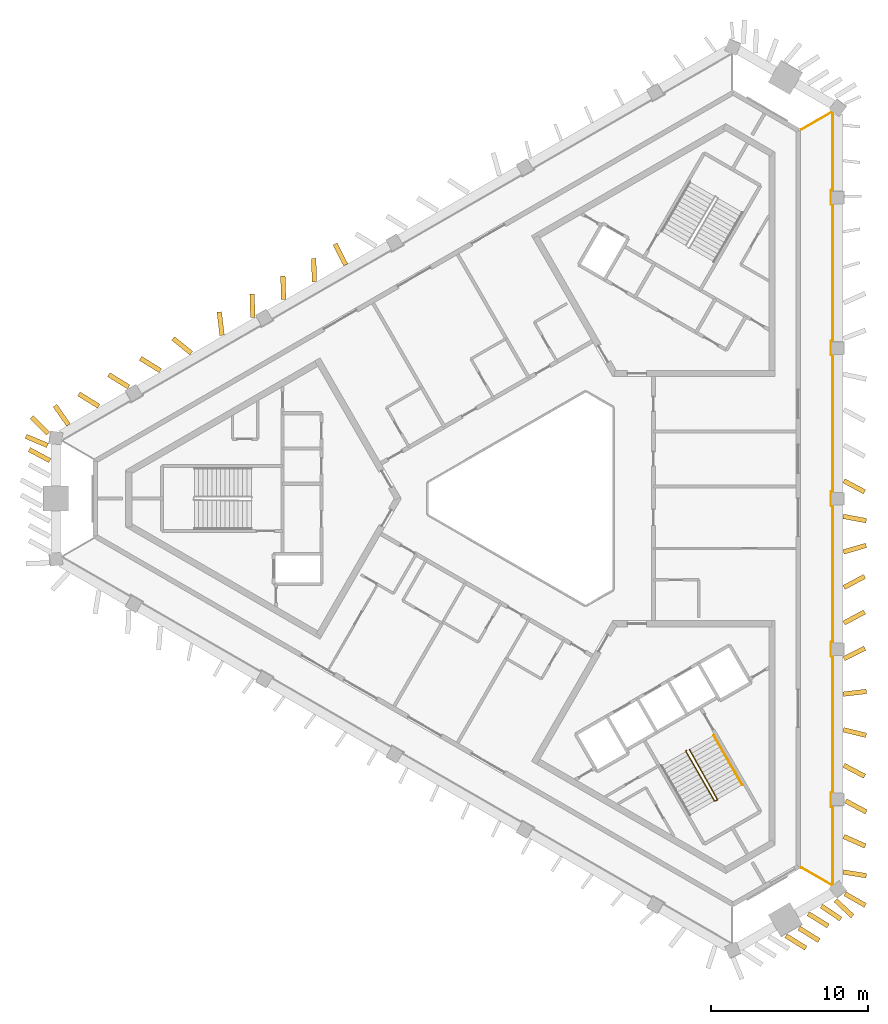
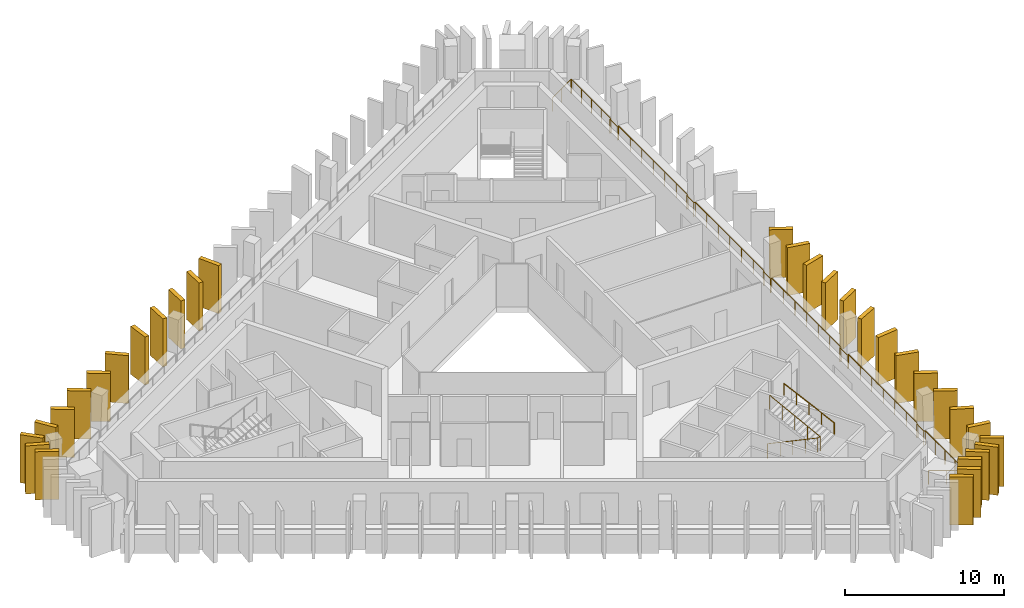
# One storey, part 8 of 10: 31 shading devices, 3 railings.
"""IFC4 building model written with IfcOpenShell, lengths in metres."""

from ifc_helpers import new_model, si_unit, direction, frame, frame_2d, origin, origin_2d, place, context, subcontext, project, spatial, rectangle, circle, extrude, material, layer, layer_set, type_object, element, save


model = new_model("IFC4")

# Units and contexts
model_context = context("Model", 3, precision=1e-05, world=origin(), true_north=direction((0.0, 1.0)))
body_context = subcontext(model_context, "Body", "Model", "MODEL_VIEW")
ifc_project = project(units=[si_unit("LENGTHUNIT", "METRE"), si_unit("AREAUNIT", "SQUARE_METRE"), si_unit("VOLUMEUNIT", "CUBIC_METRE"), si_unit("PLANEANGLEUNIT", "RADIAN"), si_unit("MASSUNIT", "GRAM", prefix="KILO")], contexts=[model_context])

# Site, building, storey
site_placement = place(None, origin())
site = spatial("IfcSite", under=ifc_project, at=site_placement, CompositionType="ELEMENT")
building_placement = place(site_placement, origin())
building = spatial("IfcBuilding", under=site, at=building_placement, Name="Jabali Bay Hotel Tower and Convention Centre", CompositionType="ELEMENT")
storey_placement = place(building_placement, frame((0.0, 0.0, 284.89990234375)))
storey = spatial("IfcBuildingStorey", under=building, at=storey_placement, Name="L70", CompositionType="ELEMENT", Elevation=284.89990234375)

# Railing
ifc_material_1 = material(Name="Glass", Category="glass")
railing_type_1 = type_object("IfcRailingType", Name="Loggia glass guard 1100", PredefinedType="BALUSTRADE", material=ifc_material_1)
railing_1_placement = place(storey_placement, frame((91.553955078125, 103.57275390625, 0.0)))
element("IfcRailing", 1, at=railing_1_placement, inside=storey, type_object=railing_type_1, Name="Loggia glass guard L70", PredefinedType="BALUSTRADE", context=body_context, shape_type="SweptSolid", body=[
    extrude(circle(Radius=0.02490234375, at=origin_2d()), frame((0.0, 0.0, 1.0751953125), z_axis=(0.865989003036, 0.500063042646, 0.0), x_axis=(-0.495784933994, 0.858580347067, 0.13052619222)), (0.0, 0.0, 1.0), 2.275146484375),
    extrude(circle(Radius=0.02490234375, at=origin_2d()), frame((1.97021484375, 1.1376953125, 1.0751953125), z_axis=(0.79528205549, -0.606239599677, 0.0), x_axis=(0.601053135861, 0.788478307258, 0.13052619222)), (0.0, 0.0, 1.0), 0.037353515625),
    extrude(circle(Radius=0.02490234375, at=origin_2d()), frame((2.0, 1.114990234375, 1.0751953125), z_axis=(0.0, -1.0, 0.0), x_axis=(0.991444861374, 0.0, 0.13052619222)), (0.0, 0.0, 1.0), 4.994384765625),
    extrude(circle(Radius=0.02490234375, at=origin_2d()), frame((2.0, -3.87939453125, 1.0751953125), z_axis=(-1.0, 0.0, 0.0), x_axis=(0.0, -0.991444861374, 0.13052619222)), (0.0, 0.0, 1.0), 0.10009765625),
    extrude(circle(Radius=0.02490234375, at=origin_2d()), frame((1.89990234375, -3.87939453125, 1.0751953125), z_axis=(0.0, -1.0, 0.0), x_axis=(0.991444861374, 0.0, 0.13052619222)), (0.0, 0.0, 1.0), 0.900146484375),
    extrude(circle(Radius=0.02490234375, at=origin_2d()), frame((1.89990234375, -4.779541015625, 1.0751953125), z_axis=(1.0, 0.0, 0.0), x_axis=(0.0, 0.991444861374, 0.13052619222)), (0.0, 0.0, 1.0), 0.10009765625),
    extrude(circle(Radius=0.02490234375, at=origin_2d()), frame((2.0, -4.779541015625, 1.0751953125), z_axis=(0.0, -1.0, 0.0), x_axis=(0.991444861374, 0.0, 0.13052619222)), (0.0, 0.0, 1.0), 8.7216796875),
    extrude(circle(Radius=0.02490234375, at=origin_2d()), frame((2.0, -13.501220703125, 1.0751953125), z_axis=(-1.0, 0.0, 0.0), x_axis=(0.0, -0.991444861374, 0.13052619222)), (0.0, 0.0, 1.0), 0.10009765625),
    extrude(circle(Radius=0.02490234375, at=origin_2d()), frame((1.89990234375, -13.501220703125, 1.0751953125), z_axis=(0.0, -1.0, 0.0), x_axis=(0.991444861374, 0.0, 0.13052619222)), (0.0, 0.0, 1.0), 0.89990234375),
    extrude(circle(Radius=0.02490234375, at=origin_2d()), frame((1.89990234375, -14.401123046875, 1.0751953125), z_axis=(1.0, 0.0, 0.0), x_axis=(0.0, 0.991444861374, 0.13052619222)), (0.0, 0.0, 1.0), 0.10009765625),
    extrude(circle(Radius=0.02490234375, at=origin_2d()), frame((2.0, -14.401123046875, 1.0751953125), z_axis=(0.0, -1.0, 0.0), x_axis=(0.991444861374, 0.0, 0.13052619222)), (0.0, 0.0, 1.0), 8.7216796875),
    extrude(circle(Radius=0.02490234375, at=origin_2d()), frame((2.0, -23.122802734375, 1.0751953125), z_axis=(-1.0, 0.0, 0.0), x_axis=(0.0, -0.991444861374, 0.13052619222)), (0.0, 0.0, 1.0), 0.10009765625),
    extrude(circle(Radius=0.02490234375, at=origin_2d()), frame((1.89990234375, -23.122802734375, 1.0751953125), z_axis=(0.0, -1.0, 0.0), x_axis=(0.991444861374, 0.0, 0.13052619222)), (0.0, 0.0, 1.0), 0.89990234375),
    extrude(circle(Radius=0.02490234375, at=origin_2d()), frame((1.89990234375, -24.022705078125, 1.0751953125), z_axis=(1.0, 0.0, 0.0), x_axis=(0.0, 0.991444861374, 0.13052619222)), (0.0, 0.0, 1.0), 0.10009765625),
    extrude(circle(Radius=0.02490234375, at=origin_2d()), frame((2.0, -24.022705078125, 1.0751953125), z_axis=(0.0, -1.0, 0.0), x_axis=(0.991444861374, 0.0, 0.13052619222)), (0.0, 0.0, 1.0), 8.7216796875),
    extrude(circle(Radius=0.02490234375, at=origin_2d()), frame((2.0, -32.744384765625, 1.0751953125), z_axis=(-1.0, 0.0, 0.0), x_axis=(0.0, -0.991444861374, 0.13052619222)), (0.0, 0.0, 1.0), 0.10009765625),
    extrude(circle(Radius=0.02490234375, at=origin_2d()), frame((1.89990234375, -32.744384765625, 1.0751953125), z_axis=(0.0, -1.0, 0.0), x_axis=(0.991444861374, 0.0, 0.13052619222)), (0.0, 0.0, 1.0), 0.89990234375),
    extrude(circle(Radius=0.02490234375, at=origin_2d()), frame((1.89990234375, -33.644287109375, 1.0751953125), z_axis=(1.0, 0.0, 0.0), x_axis=(0.0, 0.991444861374, 0.13052619222)), (0.0, 0.0, 1.0), 0.10009765625),
    extrude(circle(Radius=0.02490234375, at=origin_2d()), frame((2.0, -33.644287109375, 1.0751953125), z_axis=(0.0, -1.0, 0.0), x_axis=(0.991444861374, 0.0, 0.13052619222)), (0.0, 0.0, 1.0), 8.7216796875),
    extrude(circle(Radius=0.02490234375, at=origin_2d()), frame((2.0, -42.365966796875, 1.0751953125), z_axis=(-1.0, 0.0, 0.0), x_axis=(0.0, -0.991444861374, 0.13052619222)), (0.0, 0.0, 1.0), 0.10009765625),
    extrude(circle(Radius=0.02490234375, at=origin_2d()), frame((1.89990234375, -42.365966796875, 1.0751953125), z_axis=(0.0, -1.0, 0.0), x_axis=(0.991444861374, 0.0, 0.13052619222)), (0.0, 0.0, 1.0), 0.900146484375),
    extrude(circle(Radius=0.02490234375, at=origin_2d()), frame((1.89990234375, -43.26611328125, 1.0751953125), z_axis=(1.0, 0.0, 0.0), x_axis=(0.0, 0.991444861374, 0.13052619222)), (0.0, 0.0, 1.0), 0.10009765625),
    extrude(circle(Radius=0.02490234375, at=origin_2d()), frame((2.0, -43.26611328125, 1.0751953125), z_axis=(0.0, -1.0, 0.0), x_axis=(0.991444861374, 0.0, 0.13052619222)), (0.0, 0.0, 1.0), 4.994384765625),
    extrude(circle(Radius=0.02490234375, at=origin_2d()), frame((2.0, -48.260498046875, 1.0751953125), z_axis=(-0.79528205549, -0.606239599677, 0.0), x_axis=(0.601053135861, -0.788478307258, 0.13052619222)), (0.0, 0.0, 1.0), 0.037353515625),
    extrude(circle(Radius=0.02490234375, at=origin_2d()), frame((1.97021484375, -48.283203125, 1.0751953125), z_axis=(-0.865989003036, 0.500063042646, 0.0), x_axis=(-0.495784933994, -0.858580347067, 0.13052619222)), (0.0, 0.0, 1.0), 2.275146484375),
    extrude(circle(Radius=0.02001953125, at=origin_2d()), origin(), (0.0, 0.0, 1.0), 1.050048828125),
    extrude(circle(Radius=0.02001953125, at=origin_2d()), frame((0.985107421875, 0.56884765625, 0.0)), (0.0, 0.0, 1.0), 1.050048828125),
    extrude(circle(Radius=0.02001953125, at=origin_2d()), frame((1.97021484375, 1.1376953125, 0.0)), (0.0, 0.0, 1.0), 1.050048828125),
    extrude(circle(Radius=0.02001953125, at=origin_2d()), frame((2.0, 1.114990234375, 0.0)), (0.0, 0.0, 1.0), 1.050048828125),
    extrude(circle(Radius=0.02001953125, at=origin_2d()), frame((2.0, -0.133544921875, 0.0)), (0.0, 0.0, 1.0), 1.050048828125),
    extrude(circle(Radius=0.02001953125, at=origin_2d()), frame((2.0, -1.38232421875, 0.0)), (0.0, 0.0, 1.0), 1.050048828125),
    extrude(circle(Radius=0.02001953125, at=origin_2d()), frame((2.0, -2.630859375, 0.0)), (0.0, 0.0, 1.0), 1.050048828125),
    extrude(circle(Radius=0.02001953125, at=origin_2d()), frame((2.0, -3.87939453125, 0.0)), (0.0, 0.0, 1.0), 1.050048828125),
    extrude(circle(Radius=0.02001953125, at=origin_2d()), frame((1.89990234375, -3.87939453125, 0.0)), (0.0, 0.0, 1.0), 1.050048828125),
    extrude(circle(Radius=0.02001953125, at=origin_2d()), frame((1.89990234375, -4.779541015625, 0.0)), (0.0, 0.0, 1.0), 1.050048828125),
    extrude(circle(Radius=0.02001953125, at=origin_2d()), frame((2.0, -4.779541015625, 0.0)), (0.0, 0.0, 1.0), 1.050048828125),
    extrude(circle(Radius=0.02001953125, at=origin_2d()), frame((2.0, -6.233154296875, 0.0)), (0.0, 0.0, 1.0), 1.050048828125),
    extrude(circle(Radius=0.02001953125, at=origin_2d()), frame((2.0, -7.686767578125, 0.0)), (0.0, 0.0, 1.0), 1.050048828125),
    extrude(circle(Radius=0.02001953125, at=origin_2d()), frame((2.0, -9.140380859375, 0.0)), (0.0, 0.0, 1.0), 1.050048828125),
    extrude(circle(Radius=0.02001953125, at=origin_2d()), frame((2.0, -10.593994140625, 0.0)), (0.0, 0.0, 1.0), 1.050048828125),
    extrude(circle(Radius=0.02001953125, at=origin_2d()), frame((2.0, -12.047607421875, 0.0)), (0.0, 0.0, 1.0), 1.050048828125),
    extrude(circle(Radius=0.02001953125, at=origin_2d()), frame((2.0, -13.501220703125, 0.0)), (0.0, 0.0, 1.0), 1.050048828125),
    extrude(circle(Radius=0.02001953125, at=origin_2d()), frame((1.89990234375, -13.501220703125, 0.0)), (0.0, 0.0, 1.0), 1.050048828125),
    extrude(circle(Radius=0.02001953125, at=origin_2d()), frame((1.89990234375, -14.401123046875, 0.0)), (0.0, 0.0, 1.0), 1.050048828125),
    extrude(circle(Radius=0.02001953125, at=origin_2d()), frame((2.0, -14.401123046875, 0.0)), (0.0, 0.0, 1.0), 1.050048828125),
    extrude(circle(Radius=0.02001953125, at=origin_2d()), frame((2.0, -15.854736328125, 0.0)), (0.0, 0.0, 1.0), 1.050048828125),
    extrude(circle(Radius=0.02001953125, at=origin_2d()), frame((2.0, -17.308349609375, 0.0)), (0.0, 0.0, 1.0), 1.050048828125),
    extrude(circle(Radius=0.02001953125, at=origin_2d()), frame((2.0, -18.761962890625, 0.0)), (0.0, 0.0, 1.0), 1.050048828125),
    extrude(circle(Radius=0.02001953125, at=origin_2d()), frame((2.0, -20.215576171875, 0.0)), (0.0, 0.0, 1.0), 1.050048828125),
    extrude(circle(Radius=0.02001953125, at=origin_2d()), frame((2.0, -21.669189453125, 0.0)), (0.0, 0.0, 1.0), 1.050048828125),
    extrude(circle(Radius=0.02001953125, at=origin_2d()), frame((2.0, -23.122802734375, 0.0)), (0.0, 0.0, 1.0), 1.050048828125),
    extrude(circle(Radius=0.02001953125, at=origin_2d()), frame((1.89990234375, -23.122802734375, 0.0)), (0.0, 0.0, 1.0), 1.050048828125),
    extrude(circle(Radius=0.02001953125, at=origin_2d()), frame((1.89990234375, -24.022705078125, 0.0)), (0.0, 0.0, 1.0), 1.050048828125),
    extrude(circle(Radius=0.02001953125, at=origin_2d()), frame((2.0, -24.022705078125, 0.0)), (0.0, 0.0, 1.0), 1.050048828125),
    extrude(circle(Radius=0.02001953125, at=origin_2d()), frame((2.0, -25.476318359375, 0.0)), (0.0, 0.0, 1.0), 1.050048828125),
    extrude(circle(Radius=0.02001953125, at=origin_2d()), frame((2.0, -26.929931640625, 0.0)), (0.0, 0.0, 1.0), 1.050048828125),
    extrude(circle(Radius=0.02001953125, at=origin_2d()), frame((2.0, -28.383544921875, 0.0)), (0.0, 0.0, 1.0), 1.050048828125),
    extrude(circle(Radius=0.02001953125, at=origin_2d()), frame((2.0, -29.837158203125, 0.0)), (0.0, 0.0, 1.0), 1.050048828125),
    extrude(circle(Radius=0.02001953125, at=origin_2d()), frame((2.0, -31.290771484375, 0.0)), (0.0, 0.0, 1.0), 1.050048828125),
    extrude(circle(Radius=0.02001953125, at=origin_2d()), frame((2.0, -32.744384765625, 0.0)), (0.0, 0.0, 1.0), 1.050048828125),
    extrude(circle(Radius=0.02001953125, at=origin_2d()), frame((1.89990234375, -32.744384765625, 0.0)), (0.0, 0.0, 1.0), 1.050048828125),
    extrude(circle(Radius=0.02001953125, at=origin_2d()), frame((1.89990234375, -33.644287109375, 0.0)), (0.0, 0.0, 1.0), 1.050048828125),
    extrude(circle(Radius=0.02001953125, at=origin_2d()), frame((2.0, -33.644287109375, 0.0)), (0.0, 0.0, 1.0), 1.050048828125),
    extrude(circle(Radius=0.02001953125, at=origin_2d()), frame((2.0, -35.097900390625, 0.0)), (0.0, 0.0, 1.0), 1.050048828125),
    extrude(circle(Radius=0.02001953125, at=origin_2d()), frame((2.0, -36.551513671875, 0.0)), (0.0, 0.0, 1.0), 1.050048828125),
    extrude(circle(Radius=0.02001953125, at=origin_2d()), frame((2.0, -38.005126953125, 0.0)), (0.0, 0.0, 1.0), 1.050048828125),
    extrude(circle(Radius=0.02001953125, at=origin_2d()), frame((2.0, -39.458740234375, 0.0)), (0.0, 0.0, 1.0), 1.050048828125),
    extrude(circle(Radius=0.02001953125, at=origin_2d()), frame((2.0, -40.912353515625, 0.0)), (0.0, 0.0, 1.0), 1.050048828125),
    extrude(circle(Radius=0.02001953125, at=origin_2d()), frame((2.0, -42.365966796875, 0.0)), (0.0, 0.0, 1.0), 1.050048828125),
    extrude(circle(Radius=0.02001953125, at=origin_2d()), frame((1.89990234375, -42.365966796875, 0.0)), (0.0, 0.0, 1.0), 1.050048828125),
    extrude(circle(Radius=0.02001953125, at=origin_2d()), frame((1.89990234375, -43.26611328125, 0.0)), (0.0, 0.0, 1.0), 1.050048828125),
    extrude(circle(Radius=0.02001953125, at=origin_2d()), frame((2.0, -43.26611328125, 0.0)), (0.0, 0.0, 1.0), 1.050048828125),
    extrude(circle(Radius=0.02001953125, at=origin_2d()), frame((2.0, -44.5146484375, 0.0)), (0.0, 0.0, 1.0), 1.050048828125),
    extrude(circle(Radius=0.02001953125, at=origin_2d()), frame((2.0, -45.76318359375, 0.0)), (0.0, 0.0, 1.0), 1.050048828125),
    extrude(circle(Radius=0.02001953125, at=origin_2d()), frame((2.0, -47.011962890625, 0.0)), (0.0, 0.0, 1.0), 1.050048828125),
    extrude(circle(Radius=0.02001953125, at=origin_2d()), frame((2.0, -48.260498046875, 0.0)), (0.0, 0.0, 1.0), 1.050048828125),
    extrude(circle(Radius=0.02001953125, at=origin_2d()), frame((1.97021484375, -48.283203125, 0.0)), (0.0, 0.0, 1.0), 1.050048828125),
    extrude(circle(Radius=0.02001953125, at=origin_2d()), frame((0.985107421875, -47.71435546875, 0.0)), (0.0, 0.0, 1.0), 1.050048828125),
    extrude(circle(Radius=0.02001953125, at=origin_2d()), frame((0.0, -47.1455078125, 0.0)), (0.0, 0.0, 1.0), 1.050048828125),
])

# Shading devices
ifc_material_2 = material(Name="Precast concrete C60", Category="concrete")
ifc_layer = layer(ifc_material_2, 0.300048828125)
ifc_layer_set = layer_set([ifc_layer], Name="Precast concrete C60")
shading_device_type = type_object("IfcShadingDeviceType", Name="Precast fin 3680 x 1500", PredefinedType="USERDEFINED", material=ifc_layer_set)
shading_device_1_placement = place(storey_placement, frame((94.2197265625, 56.1484375, 0.010009765625), z_axis=(0.0, 0.0, 1.0), x_axis=(0.98771540695, -0.156263479016, 0.0)))
element("IfcShadingDevice", 2, at=shading_device_1_placement, inside=storey, type_object=shading_device_type, Name="Fin L70 000", ObjectType="FIN", PredefinedType="USERDEFINED", context=body_context, shape_type="SweptSolid", body=[
    extrude(rectangle(XDim=1.499755859375, YDim=0.300048828125, at=frame_2d((0.75, 0.0))), origin(), (0.0, 0.0, 1.0), 3.68017578125),
])
for number, where, z_axis, x_axis, name in (
    (3, (94.257568359375, 58.419921875, 0.010009765625), (0.0, 0.0, 1.0), (0.912808671471, -0.408387474451, 0.0), "Fin L70 001"),
    (4, (94.374755859375, 60.691650390625, 0.010009765625), (0.0, 0.0, 1.0), (0.881061009287, -0.473002640493, 0.0), "Fin L70 002"),
    (5, (94.26611328125, 62.963134765625, 0.010009765625), (0.0, 0.0, 1.0), (0.885059400428, -0.465478095848, 0.0), "Fin L70 003"),
    (6, (94.231689453125, 65.23486328125, 0.010009765625), (0.0, 0.0, 1.0), (0.971673664227, -0.236326660043, 0.0), "Fin L70 004"),
):
    element("IfcShadingDevice", number, at=place(storey_placement, frame(where, z_axis=z_axis, x_axis=x_axis)), inside=storey, type_object=shading_device_type, Name=name, ObjectType="FIN", PredefinedType="USERDEFINED", context=body_context, shape_type="SweptSolid", body=[
        extrude(rectangle(XDim=1.5, YDim=0.300048828125, at=frame_2d((0.75, 0.0))), origin(), (0.0, 0.0, 1.0), 3.68017578125),
    ])
shading_device_2_placement = place(storey_placement, frame((94.214111328125, 67.50634765625, 0.010009765625), z_axis=(0.0, 0.0, 1.0), x_axis=(0.992953655907, 0.118503321557, 0.0)))
element("IfcShadingDevice", 7, at=shading_device_2_placement, inside=storey, type_object=shading_device_type, Name="Fin L70 005", ObjectType="FIN", PredefinedType="USERDEFINED", context=body_context, shape_type="SweptSolid", body=[
    extrude(rectangle(XDim=1.499755859375, YDim=0.300048828125, at=frame_2d((0.75, 0.0))), origin(), (0.0, 0.0, 1.0), 3.68017578125),
])
shading_device_3_placement = place(storey_placement, frame((94.26318359375, 69.77783203125, 0.010009765625), z_axis=(0.0, 0.0, 1.0), x_axis=(0.894817457672, 0.446432209239, 0.0)))
element("IfcShadingDevice", 8, at=shading_device_3_placement, inside=storey, type_object=shading_device_type, Name="Fin L70 006", ObjectType="FIN", PredefinedType="USERDEFINED", context=body_context, shape_type="SweptSolid", body=[
    extrude(rectangle(XDim=1.5, YDim=0.300048828125, at=frame_2d((0.75, 0.0))), origin(), (0.0, 0.0, 1.0), 3.68017578125),
])
for number, where, z_axis, x_axis, name in (
    (9, (94.26708984375, 72.049560546875, 0.010009765625), (0.0, 0.0, 1.0), (0.881097417694, 0.472934816368, 0.0), "Fin L70 007"),
    (10, (94.26708984375, 74.321044921875, 0.010009765625), (0.0, 0.0, 1.0), (0.881097417694, 0.472934816368, 0.0), "Fin L70 008"),
):
    element("IfcShadingDevice", number, at=place(storey_placement, frame(where, z_axis=z_axis, x_axis=x_axis)), inside=storey, type_object=shading_device_type, Name=name, ObjectType="FIN", PredefinedType="USERDEFINED", context=body_context, shape_type="SweptSolid", body=[
        extrude(rectangle(XDim=1.500244140625, YDim=0.300048828125, at=frame_2d((0.75, 0.0))), origin(), (0.0, 0.0, 1.0), 3.68017578125),
    ])
for number, where, z_axis, x_axis, name in (
    (11, (94.23779296875, 76.592529296875, 0.010009765625), (0.0, 0.0, 1.0), (0.960771061814, 0.27734268835, 0.0), "Fin L70 009"),
    (12, (94.22412109375, 78.8642578125, 0.010009765625), (0.0, 0.0, 1.0), (0.982663332362, -0.185398962326, 0.0), "Fin L70 010"),
):
    element("IfcShadingDevice", number, at=place(storey_placement, frame(where, z_axis=z_axis, x_axis=x_axis)), inside=storey, type_object=shading_device_type, Name=name, ObjectType="FIN", PredefinedType="USERDEFINED", context=body_context, shape_type="SweptSolid", body=[
        extrude(rectangle(XDim=1.5, YDim=0.300048828125, at=frame_2d((0.75, 0.0))), origin(), (0.0, 0.0, 1.0), 3.68017578125),
    ])
shading_device_4_placement = place(storey_placement, frame((94.26708984375, 81.1357421875, 0.010009765625), z_axis=(0.0, 0.0, 1.0), x_axis=(0.881097417694, -0.472934816368, 0.0)))
element("IfcShadingDevice", 13, at=shading_device_4_placement, inside=storey, type_object=shading_device_type, Name="Fin L70 011", ObjectType="FIN", PredefinedType="USERDEFINED", context=body_context, shape_type="SweptSolid", body=[
    extrude(rectangle(XDim=1.500244140625, YDim=0.300048828125, at=frame_2d((0.75, 0.0))), origin(), (0.0, 0.0, 1.0), 3.68017578125),
])
for number, where, z_axis, x_axis, name in (
    (14, (62.447021484375, 94.927734375, 0.010009765625), (0.0, 0.0, 1.0), (-0.453452707094, 0.891280338855, 0.0), "Fin L70 042"),
    (15, (60.4482421875, 93.846435546875, 0.010009765625), (0.0, 0.0, 1.0), (-0.030924788426, 0.999521714352, 0.0), "Fin L70 043"),
    (16, (58.48095703125, 92.710693359375, 0.010009765625), (0.0, 0.0, 1.0), (-0.030762180813, 0.999526732125, 0.0), "Fin L70 044"),
    (17, (56.513916015625, 91.574951171875, 0.010009765625), (0.0, 0.0, 1.0), (-0.030924788426, 0.999521714352, 0.0), "Fin L70 045"),
):
    element("IfcShadingDevice", number, at=place(storey_placement, frame(where, z_axis=z_axis, x_axis=x_axis)), inside=storey, type_object=shading_device_type, Name=name, ObjectType="FIN", PredefinedType="USERDEFINED", context=body_context, shape_type="SweptSolid", body=[
        extrude(rectangle(XDim=1.5, YDim=0.300048828125, at=frame_2d((0.75, 0.0))), origin(), (0.0, 0.0, 1.0), 3.68017578125),
    ])
for number, where, z_axis, x_axis, name in (
    (18, (54.552734375, 90.428466796875, 0.010009765625), (0.0, 0.0, 1.0), (-0.121269533169, 0.992619615122, 0.0), "Fin L70 046"),
    (19, (52.587646484375, 89.288818359375, 0.010009765625), (0.0, 0.0, 1.0), (-0.779102826495, 0.626896152284, 0.0), "Fin L70 047"),
):
    element("IfcShadingDevice", number, at=place(storey_placement, frame(where, z_axis=z_axis, x_axis=x_axis)), inside=storey, type_object=shading_device_type, Name=name, ObjectType="FIN", PredefinedType="USERDEFINED", context=body_context, shape_type="SweptSolid", body=[
        extrude(rectangle(XDim=1.499755859375, YDim=0.300048828125, at=frame_2d((0.75, 0.0))), origin(), (0.0, 0.0, 1.0), 3.68017578125),
    ])
for number, where, z_axis, x_axis, name in (
    (20, (50.612060546875, 88.16748046875, 0.010009765625), (0.0, 0.0, 1.0), (-0.850140244576, 0.526556326097, 0.0), "Fin L70 048"),
    (21, (48.591064453125, 87.124755859375, 0.010009765625), (0.0, 0.0, 1.0), (-0.850140244576, 0.526556326097, 0.0), "Fin L70 049"),
    (22, (46.677490234375, 85.89599609375, 0.010009765625), (0.0, 0.0, 1.0), (-0.850140244576, 0.526556326097, 0.0), "Fin L70 050"),
):
    element("IfcShadingDevice", number, at=place(storey_placement, frame(where, z_axis=z_axis, x_axis=x_axis)), inside=storey, type_object=shading_device_type, Name=name, ObjectType="FIN", PredefinedType="USERDEFINED", context=body_context, shape_type="SweptSolid", body=[
        extrude(rectangle(XDim=1.5, YDim=0.300048828125, at=frame_2d((0.75, 0.0))), origin(), (0.0, 0.0, 1.0), 3.68017578125),
    ])
shading_device_5_placement = place(storey_placement, frame((44.7392578125, 84.7099609375, 0.010009765625), z_axis=(0.0, 0.0, 1.0), x_axis=(-0.573669850876, 0.819086626796, 0.0)))
element("IfcShadingDevice", 23, at=shading_device_5_placement, inside=storey, type_object=shading_device_type, Name="Fin L70 051", ObjectType="FIN", PredefinedType="USERDEFINED", context=body_context, shape_type="SweptSolid", body=[
    extrude(rectangle(XDim=1.500244140625, YDim=0.300048828125, at=frame_2d((0.75, 0.0))), origin(), (0.0, 0.0, 1.0), 3.68017578125),
])
shading_device_6_placement = place(storey_placement, frame((43.404052734375, 83.392822265625, 0.010009765625), z_axis=(0.0, 0.0, 1.0), x_axis=(-0.921494366507, 0.388391725576, 0.0)))
element("IfcShadingDevice", 24, at=shading_device_6_placement, inside=storey, type_object=shading_device_type, Name="Fin L70 052", ObjectType="FIN", PredefinedType="USERDEFINED", context=body_context, shape_type="SweptSolid", body=[
    extrude(rectangle(XDim=1.499755859375, YDim=0.300048828125, at=frame_2d((0.75, 0.0))), origin(), (0.0, 0.0, 1.0), 3.68017578125),
])
shading_device_7_placement = place(storey_placement, frame((43.55078125, 82.423583984375, 0.010009765625), z_axis=(0.0, 0.0, 1.0), x_axis=(-0.881097417694, 0.472934816368, 0.0)))
element("IfcShadingDevice", 25, at=shading_device_7_placement, inside=storey, type_object=shading_device_type, Name="Fin L70 053", ObjectType="FIN", PredefinedType="USERDEFINED", context=body_context, shape_type="SweptSolid", body=[
    extrude(rectangle(XDim=1.500244140625, YDim=0.300048828125, at=frame_2d((0.75, 0.0))), origin(), (0.0, 0.0, 1.0), 3.68017578125),
])
shading_device_8_placement = place(storey_placement, frame((90.561279296875, 52.07763671875, 0.010009765625), z_axis=(0.0, 0.0, 1.0), x_axis=(0.850213105497, -0.52643867187, 0.0)))
element("IfcShadingDevice", 26, at=shading_device_8_placement, inside=storey, type_object=shading_device_type, Name="Fin L70 085", ObjectType="FIN", PredefinedType="USERDEFINED", context=body_context, shape_type="SweptSolid", body=[
    extrude(rectangle(XDim=1.499755859375, YDim=0.300048828125, at=frame_2d((0.75, 0.0))), origin(), (0.0, 0.0, 1.0), 3.68017578125),
])
shading_device_9_placement = place(storey_placement, frame((91.40087890625, 52.5625, 0.010009765625), z_axis=(0.0, 0.0, 1.0), x_axis=(0.850140244576, -0.526556326097, 0.0)))
element("IfcShadingDevice", 27, at=shading_device_9_placement, inside=storey, type_object=shading_device_type, Name="Fin L70 086", ObjectType="FIN", PredefinedType="USERDEFINED", context=body_context, shape_type="SweptSolid", body=[
    extrude(rectangle(XDim=1.5, YDim=0.300048828125, at=frame_2d((0.75, 0.0))), origin(), (0.0, 0.0, 1.0), 3.68017578125),
])
shading_device_10_placement = place(storey_placement, frame((91.98388671875, 53.4912109375, 0.010009765625), z_axis=(0.0, 0.0, 1.0), x_axis=(0.850185364679, -0.526483471427, 0.0)))
element("IfcShadingDevice", 28, at=shading_device_10_placement, inside=storey, type_object=shading_device_type, Name="Fin L70 087", ObjectType="FIN", PredefinedType="USERDEFINED", context=body_context, shape_type="SweptSolid", body=[
    extrude(rectangle(XDim=1.500244140625, YDim=0.300048828125, at=frame_2d((0.75, 0.0))), origin(), (0.0, 0.0, 1.0), 3.68017578125),
])
shading_device_11_placement = place(storey_placement, frame((92.82080078125, 53.980224609375, 0.010009765625), z_axis=(0.0, 0.0, 1.0), x_axis=(0.829108975345, -0.5590870299, 0.0)))
element("IfcShadingDevice", 29, at=shading_device_11_placement, inside=storey, type_object=shading_device_type, Name="Fin L70 088", ObjectType="FIN", PredefinedType="USERDEFINED", context=body_context, shape_type="SweptSolid", body=[
    extrude(rectangle(XDim=1.5, YDim=0.300048828125, at=frame_2d((0.75, 0.0))), origin(), (0.0, 0.0, 1.0), 3.68017578125),
])
shading_device_12_placement = place(storey_placement, frame((93.728515625, 54.346923828125, 0.010009765625), z_axis=(0.0, 0.0, 1.0), x_axis=(0.730074951143, -0.68336707977, 0.0)))
element("IfcShadingDevice", 30, at=shading_device_12_placement, inside=storey, type_object=shading_device_type, Name="Fin L70 089", ObjectType="FIN", PredefinedType="USERDEFINED", context=body_context, shape_type="SweptSolid", body=[
    extrude(rectangle(XDim=1.500244140625, YDim=0.300048828125, at=frame_2d((0.75, 0.0))), origin(), (0.0, 0.0, 1.0), 3.68017578125),
])
for number, where, z_axis, x_axis, name in (
    (31, (94.33447265625, 54.76416015625, 0.010009765625), (0.0, 0.0, 1.0), (0.866031096941, -0.499990139034, 0.0), "Fin L70 090"),
    (32, (43.4462890625, 84.144287109375, 0.010009765625), (0.0, 0.0, 1.0), (-0.70816392255, 0.706048057004, 0.0), "Fin L70 093"),
):
    element("IfcShadingDevice", number, at=place(storey_placement, frame(where, z_axis=z_axis, x_axis=x_axis)), inside=storey, type_object=shading_device_type, Name=name, ObjectType="FIN", PredefinedType="USERDEFINED", context=body_context, shape_type="SweptSolid", body=[
        extrude(rectangle(XDim=1.5, YDim=0.300048828125, at=frame_2d((0.75, 0.0))), origin(), (0.0, 0.0, 1.0), 3.68017578125),
    ])

# Railings
ifc_material_3 = material(Name="Steel Q355B", Category="steel")
railing_type_2 = type_object("IfcRailingType", Name="Stair guard 1100", PredefinedType="GUARDRAIL", material=ifc_material_3)
railing_2_placement = place(storey_placement, frame((84.199951171875, 63.9150390625, 0.0)))
element("IfcRailing", 33, at=railing_2_placement, inside=storey, type_object=railing_type_2, Name="L70 ST3 stair guard 1", PredefinedType="GUARDRAIL", context=body_context, shape_type="SweptSolid", body=[
    extrude(circle(Radius=0.02392578125, at=origin_2d()), frame((0.0, 0.0, 1.076171875), z_axis=(-0.122021570157, -0.455547195254, 0.88180921367), x_axis=(0.965948051503, -0.258736085224, 0.0)), (0.0, 0.0, 1.0), 0.150146484375),
    extrude(circle(Radius=0.02392578125, at=origin_2d()), frame((-0.018310546875, -0.068359375, 1.20849609375), z_axis=(0.452190331055, -0.783190014029, 0.426775475427), x_axis=(0.866018046521, 0.500012742938, 0.0)), (0.0, 0.0, 1.0), 4.02490234375),
    extrude(circle(Radius=0.02392578125, at=origin_2d()), frame((1.8017578125, -3.220703125, 2.92626953125), z_axis=(0.96121063429, 0.275815366736, 0.0), x_axis=(-0.275815366736, 0.96121063429, 0.0)), (0.0, 0.0, 1.0), 0.206298828125),
    extrude(circle(Radius=0.02392578125, at=origin_2d()), frame((2.0, -3.163818359375, 2.92626953125), z_axis=(-0.436470229993, 0.780146179382, 0.448180406895), x_axis=(-0.872702246529, -0.488252792008, 0.0)), (0.0, 0.0, 1.0), 4.1279296875),
    extrude(circle(Radius=0.02099609375, at=origin_2d()), origin(), (0.0, 0.0, 1.0), 1.052001953125),
    extrude(circle(Radius=0.02099609375, at=origin_2d()), frame((-0.018310546875, -0.068359375, 0.13232421875)), (0.0, 0.0, 1.0), 1.052001953125),
    extrude(circle(Radius=0.02099609375, at=origin_2d()), frame((0.436767578125, -0.8564453125, 0.561767578125)), (0.0, 0.0, 1.0), 1.052001953125),
    extrude(circle(Radius=0.02099609375, at=origin_2d()), frame((0.8916015625, -1.64453125, 0.9912109375)), (0.0, 0.0, 1.0), 1.052001953125),
    extrude(circle(Radius=0.02099609375, at=origin_2d()), frame((1.3466796875, -2.4326171875, 1.420654296875)), (0.0, 0.0, 1.0), 1.052001953125),
    extrude(circle(Radius=0.02099609375, at=origin_2d()), frame((1.8017578125, -3.220703125, 1.85009765625)), (0.0, 0.0, 1.0), 1.052001953125),
    extrude(circle(Radius=0.02099609375, at=origin_2d()), frame((2.0, -3.163818359375, 1.85009765625)), (0.0, 0.0, 1.0), 1.052001953125),
    extrude(circle(Radius=0.02099609375, at=origin_2d()), frame((1.549560546875, -2.358642578125, 2.3125)), (0.0, 0.0, 1.0), 1.052001953125),
    extrude(circle(Radius=0.02099609375, at=origin_2d()), frame((1.09912109375, -1.5537109375, 2.775146484375)), (0.0, 0.0, 1.0), 1.052001953125),
    extrude(circle(Radius=0.02099609375, at=origin_2d()), frame((0.648681640625, -0.74853515625, 3.23779296875)), (0.0, 0.0, 1.0), 1.052001953125),
    extrude(circle(Radius=0.02099609375, at=origin_2d()), frame((0.1982421875, 0.056640625, 3.7001953125)), (0.0, 0.0, 1.0), 1.052001953125),
])
railing_type_3 = type_object("IfcRailingType", Name="Stair handrail 900", PredefinedType="HANDRAIL", material=ifc_material_3)
railing_3_placement = place(storey_placement, frame((87.777099609375, 61.719482421875, 1.982177734375)))
element("IfcRailing", 34, at=railing_3_placement, inside=storey, type_object=railing_type_3, Name="L70 ST3 stair handrail 2", PredefinedType="HANDRAIL", context=body_context, shape_type="SweptSolid", body=[
    extrude(circle(Radius=0.02392578125, at=origin_2d()), frame((0.0, 0.0, 0.8759765625), z_axis=(-0.45217862506, 0.783169739339, 0.426825081763), x_axis=(-0.866018046521, -0.500012742938, 0.0)), (0.0, 0.0, 1.0), 4.025146484375),
    extrude(circle(Radius=0.02099609375, at=origin_2d()), origin(), (0.0, 0.0, 1.0), 0.851806640625),
    extrude(circle(Radius=0.02099609375, at=origin_2d()), frame((-0.455078125, 0.7880859375, 0.429443359375)), (0.0, 0.0, 1.0), 0.851806640625),
    extrude(circle(Radius=0.02099609375, at=origin_2d()), frame((-0.91015625, 1.576171875, 0.85888671875)), (0.0, 0.0, 1.0), 0.851806640625),
    extrude(circle(Radius=0.02099609375, at=origin_2d()), frame((-1.364990234375, 2.3642578125, 1.28857421875)), (0.0, 0.0, 1.0), 0.851806640625),
    extrude(circle(Radius=0.02099609375, at=origin_2d()), frame((-1.820068359375, 3.15234375, 1.718017578125)), (0.0, 0.0, 1.0), 0.851806640625),
])

save(model, "model.ifc")
